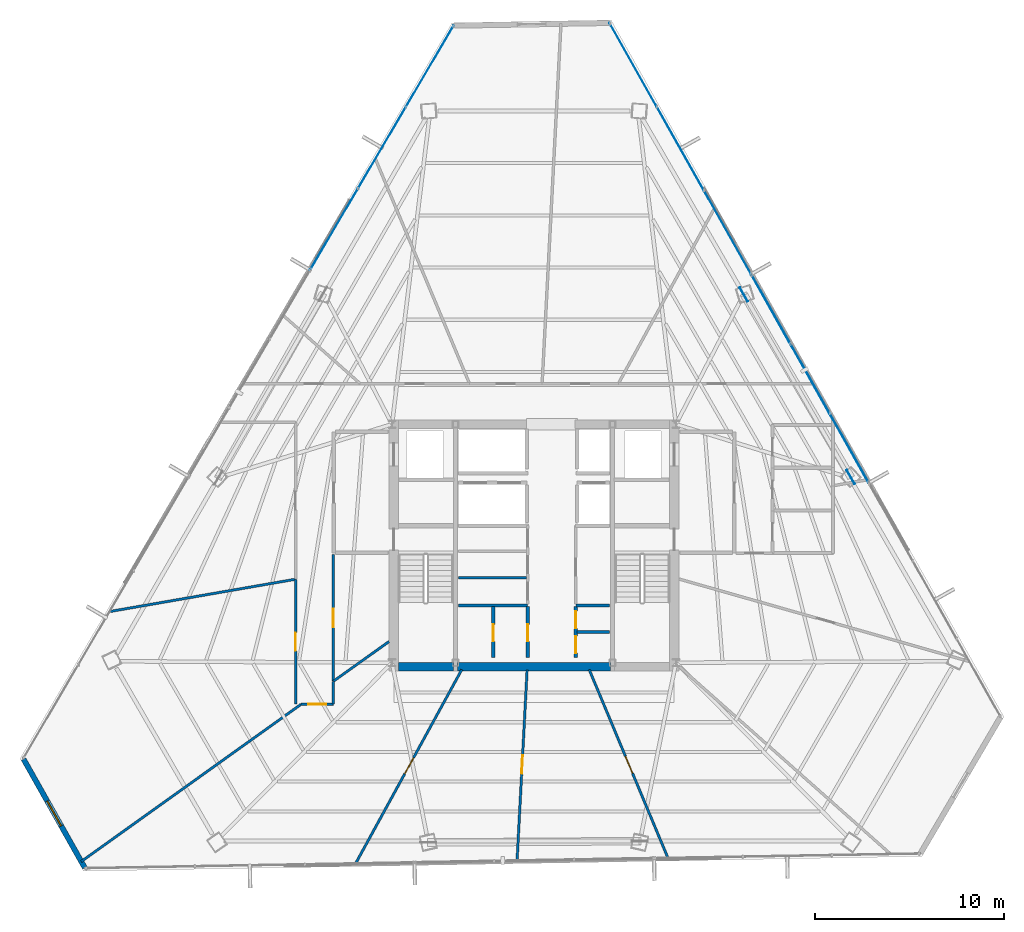
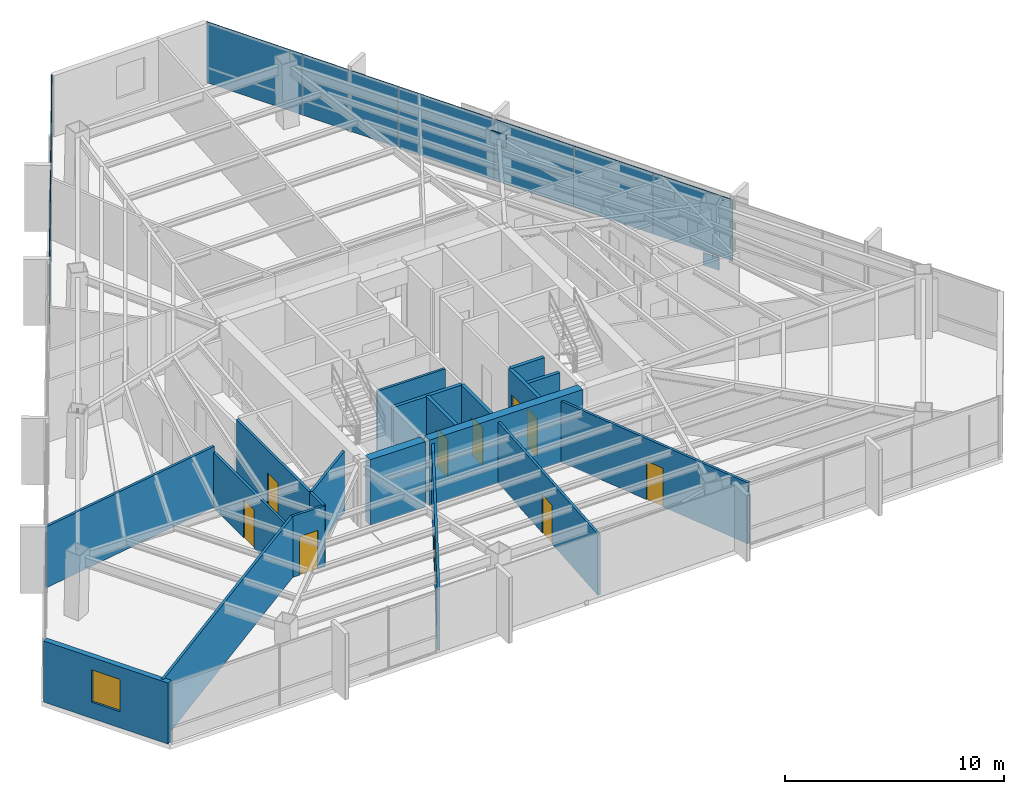
# One storey, part 35 of 42: 20 walls, 11 plates, 10 doors, 1 window, 11 openings, 3 elements without a shape of their own.
"""IFC4 building model written with IfcOpenShell, lengths in metres."""

from ifc_helpers import new_model, si_unit, direction, frame, frame_2d, origin, origin_2d, place, context, subcontext, project, spatial, rectangle, extrude, source, transform, mapped, material, layer, layer_set, type_object, type_shapes, element, fill, aggregate, save


model = new_model("IFC4")

# Units and contexts
model_context = context("Model", 3, precision=1e-05, world=origin(), true_north=direction((0.0, 1.0)))
body_context = subcontext(model_context, "Body", "Model", "MODEL_VIEW")
ifc_project = project(units=[si_unit("LENGTHUNIT", "METRE"), si_unit("AREAUNIT", "SQUARE_METRE"), si_unit("VOLUMEUNIT", "CUBIC_METRE"), si_unit("PLANEANGLEUNIT", "RADIAN"), si_unit("MASSUNIT", "GRAM", prefix="KILO")], contexts=[model_context])

# Site, building, storey
site_placement = place(None, origin())
site = spatial("IfcSite", under=ifc_project, at=site_placement, CompositionType="ELEMENT")
building_placement = place(site_placement, origin())
building = spatial("IfcBuilding", under=site, at=building_placement, Name="Caelisora Broadcast Tower", CompositionType="ELEMENT")
storey_placement = place(building_placement, frame((0.0, 0.0, 184.050048828125)))
storey = spatial("IfcBuildingStorey", under=building, at=storey_placement, Name="L48", CompositionType="ELEMENT", Elevation=184.050048828125)

# Plates
ifc_material_1 = material(Name="Steel Grade 350 L15 (AS/NZS 3678)", Category="steel")
ifc_layer_1 = layer(ifc_material_1, 0.0400390625, Name="Steel Grade 350 L15 (AS/NZS 3678)")
ifc_layer_set_1 = layer_set([ifc_layer_1], Name="Steel Grade 350 L15 (AS/NZS 3678)")
plate_type_1 = type_object("IfcPlateType", Name="GP04", PredefinedType="USERDEFINED", material=ifc_layer_set_1)
shared_shape_1 = source(origin(), body_context, "Body", "SweptSolid", [
    extrude(rectangle(XDim=0.85009765625, YDim=0.0400390625, at=origin_2d()), origin(), (0.0, 0.0, 1.0), 0.699951171875),
])
type_shapes(plate_type_1, [shared_shape_1])
for number, where, z_axis, x_axis, name in (
    (1, (54.73388671875, 27.21826171875, -0.22998046875), (0.0, 0.0, 1.0), (-0.5, 0.866025403784, 0.0), "L48 gusset plate GP04 (ND-L48-C10B)"),
    (2, (49.083251953125, 36.86083984375, 2.72998046875), (0.0, 0.0, 1.0), (-0.5, 0.866025403784, 0.0), "L48 gusset plate GP04 (ND-L48-C11T)"),
):
    element("IfcPlate", number, at=place(storey_placement, frame(where, z_axis=z_axis, x_axis=x_axis)), inside=storey, type_object=plate_type_1, Name=name, ObjectType="GUSSET PLATE", PredefinedType="USERDEFINED", context=body_context, shape_type="MappedRepresentation", body=[
        mapped(shared_shape_1, transform((0.0, 0.0, 0.0), scale=1.0)),
    ])

# Curtain wall, plates
ifc_material_2 = material(Name="Unitised Aluminium and Low-E Glass Curtain Wall", Category="glass")
curtain_wall_type_1 = type_object("IfcCurtainWallType", Name="CW-Z4", PredefinedType="NOTDEFINED", material=ifc_material_2)
curtain_wall_1_placement = place(storey_placement, origin())
curtain_wall_1 = element("IfcCurtainWall", 3, at=curtain_wall_1_placement, inside=storey, type_object=curtain_wall_type_1, Name="L48 curtain wall CW-Z4", PredefinedType="NOTDEFINED")
ifc_material_3 = material(Name="Double Glazed Low-E Argon IGU", Category="glass")
ifc_layer_2 = layer(ifc_material_3, 0.030029296875, Name="Double Glazed Low-E Argon IGU")
ifc_layer_set_2 = layer_set([ifc_layer_2], Name="Double Glazed Low-E Argon IGU")
plate_type_2 = type_object("IfcPlateType", Name="CWP-05", PredefinedType="CURTAIN_PANEL", material=ifc_layer_set_2)
shared_shape_2 = source(origin(), body_context, "Body", "SweptSolid", [
    extrude(rectangle(XDim=5.080078125, YDim=0.030029296875, at=origin_2d()), origin(), (0.0, 0.0, 1.0), 3.39990234375),
])
plate_1_placement = place(storey_placement, frame((43.236572265625, 48.993408203125, 0.0), z_axis=(0.0, 0.0, 1.0), x_axis=(0.491055801632, -0.871128118983, 0.0)))
plate_1 = element("IfcPlate", 4, at=plate_1_placement, type_object=plate_type_2, Name="L48-CW-B01 glazed panel #1", PredefinedType="CURTAIN_PANEL", context=body_context, shape_type="MappedRepresentation", body=[
    mapped(shared_shape_2, transform((0.0, 0.0, 0.0), scale=1.0)),
])
plate_2_placement = place(storey_placement, frame((45.7314453125, 44.56787109375, 0.0), z_axis=(0.0, 0.0, 1.0), x_axis=(0.491055801632, -0.871128118983, 0.0)))
plate_2 = element("IfcPlate", 5, at=plate_2_placement, type_object=plate_type_2, Name="L48-CW-B01 glazed panel #2", PredefinedType="CURTAIN_PANEL", context=body_context, shape_type="MappedRepresentation", body=[
    mapped(shared_shape_2, transform((0.0, 0.0, 0.0), scale=1.0)),
])
plate_3_placement = place(storey_placement, frame((48.2265625, 40.142578125, 0.0), z_axis=(0.0, 0.0, 1.0), x_axis=(0.491055801632, -0.871128118983, 0.0)))
plate_3 = element("IfcPlate", 6, at=plate_3_placement, type_object=plate_type_2, Name="L48-CW-B01 glazed panel #3", PredefinedType="CURTAIN_PANEL", context=body_context, shape_type="MappedRepresentation", body=[
    mapped(shared_shape_2, transform((0.0, 0.0, 0.0), scale=1.0)),
])
aggregate(curtain_wall_1, [plate_1, plate_2, plate_3])

ifc_material_4 = material(Name="Unitised Aluminium Insulated Shadow-Box Spandrel Curtain Wall", Category="aluminium")
curtain_wall_type_2 = type_object("IfcCurtainWallType", Name="CW-SP2", PredefinedType="NOTDEFINED", material=ifc_material_4)
curtain_wall_2_placement = place(storey_placement, origin())
curtain_wall_2 = element("IfcCurtainWall", 7, at=curtain_wall_2_placement, inside=storey, type_object=curtain_wall_type_2, Name="L48 curtain wall CW-SP2", PredefinedType="NOTDEFINED")
ifc_material_5 = material(Name="Insulated Terracotta Shadow-Box Spandrel Panel", Category="aluminium")
ifc_layer_3 = layer(ifc_material_5, 0.0439453125, Name="Insulated Terracotta Shadow-Box Spandrel Panel")
ifc_layer_set_3 = layer_set([ifc_layer_3], Name="Insulated Terracotta Shadow-Box Spandrel Panel")
plate_type_3 = type_object("IfcPlateType", Name="CWP-10", PredefinedType="CURTAIN_PANEL", material=ifc_layer_set_3)
shared_shape_3 = source(origin(), body_context, "Body", "SweptSolid", [
    extrude(rectangle(XDim=4.21630859375, YDim=0.0439453125, at=origin_2d()), origin(), (0.0, 0.0, 1.0), 3.39990234375),
])
type_shapes(plate_type_3, [shared_shape_3])
plate_4_placement = place(storey_placement, frame((50.514404296875, 36.084716796875, 0.0), z_axis=(0.0, 0.0, 1.0), x_axis=(0.491055801632, -0.871128118983, 0.0)))
plate_4 = element("IfcPlate", 8, at=plate_4_placement, type_object=plate_type_3, Name="L48-CW-B02 spandrel panel #1", PredefinedType="CURTAIN_PANEL", context=body_context, shape_type="MappedRepresentation", body=[
    mapped(shared_shape_3, transform((0.0, 0.0, 0.0), scale=1.0)),
])
plate_5_placement = place(storey_placement, frame((52.5849609375, 32.411865234375, 0.0), z_axis=(0.0, 0.0, 1.0), x_axis=(0.491055801632, -0.871128118983, 0.0)))
plate_5 = element("IfcPlate", 9, at=plate_5_placement, type_object=plate_type_3, Name="L48-CW-B02 spandrel panel #2", PredefinedType="CURTAIN_PANEL", context=body_context, shape_type="MappedRepresentation", body=[
    mapped(shared_shape_3, transform((0.0, 0.0, 0.0), scale=1.0)),
])
plate_6_placement = place(storey_placement, frame((54.65576171875, 28.739013671875, 0.0), z_axis=(0.0, 0.0, 1.0), x_axis=(0.491055801632, -0.871128118983, 0.0)))
plate_6 = element("IfcPlate", 10, at=plate_6_placement, type_object=plate_type_3, Name="L48-CW-B02 spandrel panel #3", PredefinedType="CURTAIN_PANEL", context=body_context, shape_type="MappedRepresentation", body=[
    mapped(shared_shape_3, transform((0.0, 0.0, 0.0), scale=1.0)),
])
aggregate(curtain_wall_2, [plate_4, plate_5, plate_6])

curtain_wall_3_placement = place(storey_placement, origin())
curtain_wall_3 = element("IfcCurtainWall", 11, at=curtain_wall_3_placement, inside=storey, type_object=curtain_wall_type_1, Name="L48 curtain wall CW-Z4", PredefinedType="NOTDEFINED")
shared_shape_4 = source(origin(), body_context, "Body", "SweptSolid", [
    extrude(rectangle(XDim=4.990234375, YDim=0.030029296875, at=origin_2d()), origin(), (0.0, 0.0, 1.0), 3.39990234375),
])
type_shapes(plate_type_2, [shared_shape_2, shared_shape_4])
plate_7_placement = place(storey_placement, frame((27.4384765625, 40.3037109375, 0.0), z_axis=(0.0, 0.0, 1.0), x_axis=(0.506334807353, 0.862336977557, 0.0)))
plate_7 = element("IfcPlate", 12, at=plate_7_placement, type_object=plate_type_2, Name="L48-CW-B11 glazed panel #1", PredefinedType="CURTAIN_PANEL", context=body_context, shape_type="MappedRepresentation", body=[
    mapped(shared_shape_4, transform((0.0, 0.0, 0.0), scale=1.0)),
])
plate_8_placement = place(storey_placement, frame((29.965087890625, 44.60693359375, 0.0), z_axis=(0.0, 0.0, 1.0), x_axis=(0.506334807353, 0.862336977557, 0.0)))
plate_8 = element("IfcPlate", 13, at=plate_8_placement, type_object=plate_type_2, Name="L48-CW-B11 glazed panel #2", PredefinedType="CURTAIN_PANEL", context=body_context, shape_type="MappedRepresentation", body=[
    mapped(shared_shape_4, transform((0.0, 0.0, 0.0), scale=1.0)),
])
plate_9_placement = place(storey_placement, frame((32.49169921875, 48.910400390625, 0.0), z_axis=(0.0, 0.0, 1.0), x_axis=(0.506334807353, 0.862336977557, 0.0)))
plate_9 = element("IfcPlate", 14, at=plate_9_placement, type_object=plate_type_2, Name="L48-CW-B11 glazed panel #3", PredefinedType="CURTAIN_PANEL", context=body_context, shape_type="MappedRepresentation", body=[
    mapped(shared_shape_4, transform((0.0, 0.0, 0.0), scale=1.0)),
])
aggregate(curtain_wall_3, [plate_7, plate_8, plate_9])

# Walls
ifc_material_6 = material(Name="Concrete 50 MPa (AS 3600 S50)", Category="concrete")
ifc_layer_4 = layer(ifc_material_6, 0.449951171875, Name="Concrete 50 MPa (AS 3600 S50)")
ifc_layer_set_4 = layer_set([ifc_layer_4], Name="Concrete 50 MPa (AS 3600 S50)")
wall_type_1 = type_object("IfcWallType", Name="CW5", PredefinedType="SHEAR", material=ifc_layer_set_4)
wall_1_placement = place(storey_placement, frame((30.840087890625, 17.175048828125, 0.0), z_axis=(0.0, 0.0, 1.0), x_axis=(1.0, 0.0, 0.0)))
element("IfcWall", 15, at=wall_1_placement, inside=storey, type_object=wall_type_1, Name="L48 core shear wall CW5", PredefinedType="SHEAR", context=body_context, shape_type="SweptSolid", body=[
    extrude(rectangle(XDim=2.89990234375, YDim=0.449951171875, at=frame_2d((1.449951171875, 0.0))), origin(), (0.0, 0.0, 1.0), 3.64990234375),
])
wall_2_placement = place(storey_placement, frame((33.9599609375, 17.175048828125, 0.0), z_axis=(0.0, 0.0, 1.0), x_axis=(1.0, 0.0, 0.0)))
element("IfcWall", 16, at=wall_2_placement, inside=storey, type_object=wall_type_1, Name="L48 core shear wall CW5", PredefinedType="SHEAR", context=body_context, shape_type="SweptSolid", body=[
    extrude(rectangle(XDim=8.080078125, YDim=0.449951171875, at=frame_2d((4.0400390625, 0.0))), origin(), (0.0, 0.0, 1.0), 3.64990234375),
])

# Wall, opening, window
ifc_material_7 = material(Name="Insulated Terracotta Spandrel Wall System", Category="masonry")
ifc_layer_5 = layer(ifc_material_7, 0.280029296875, Name="Insulated Terracotta Spandrel Wall System")
ifc_layer_set_5 = layer_set([ifc_layer_5], Name="Insulated Terracotta Spandrel Wall System")
wall_type_2 = type_object("IfcWallType", Name="EW1", PredefinedType="STANDARD", material=ifc_layer_set_5)
wall_3_placement = place(storey_placement, frame((14.268310546875, 6.56201171875, 0.0), z_axis=(0.0, 0.0, 1.0), x_axis=(-0.491198014643, 0.871047938067, 0.0)))
wall_3 = element("IfcWall", 17, at=wall_3_placement, inside=storey, type_object=wall_type_2, Name="L48 exterior envelope wall EW1", PredefinedType="STANDARD", context=body_context, shape_type="SweptSolid", body=[
    extrude(rectangle(XDim=6.593017578125, YDim=0.280029296875, at=frame_2d((3.29638671875, 0.0))), origin(), (0.0, 0.0, 1.0), 3.39990234375),
])
opening_1_placement = place(wall_3_placement, frame((2.550048828125, 0.0, 0.89990234375)))
opening_1 = element("IfcOpeningElement", 18, at=opening_1_placement, cuts=wall_3, Name="Opening W02", PredefinedType="OPENING", context=body_context, shape_type="SweptSolid", body=[
    extrude(rectangle(XDim=1.5, YDim=1.800048828125, at=frame_2d((0.75, 0.89990234375))), frame((0.0, 0.152099609375, 0.0), z_axis=(0.0, -1.0, 0.0), x_axis=(1.0, 0.0, 0.0)), (0.0, 0.0, 1.0), 0.303955078125),
])
ifc_material_8 = material(Name="Double Glazed Terracotta-Framed Vision Window", Category="glass")
window_type = type_object("IfcWindowType", Name="W02", PartitioningType="SINGLE_PANEL", PredefinedType="WINDOW", material=ifc_material_8)
window_placement = place(opening_1_placement, origin())
window = element("IfcWindow", 19, at=window_placement, inside=storey, type_object=window_type, Name="L48 window W02 (L48-WN-CH4)", OverallHeight=1.800048828125, OverallWidth=1.5, PartitioningType="SINGLE_PANEL", PredefinedType="WINDOW", context=body_context, shape_type="SweptSolid", body=[
    extrude(rectangle(XDim=1.5, YDim=1.800048828125, at=frame_2d((0.75, 0.89990234375))), frame((0.0, 0.030029296875, 0.0), z_axis=(0.0, -1.0, 0.0), x_axis=(1.0, 0.0, 0.0)), (0.0, 0.0, 1.0), 0.06005859375),
])
fill(opening_1, window)

# Walls
ifc_material_9 = material(Name="Fire-Rated Gypsum Shaft and Compartment Wall", Category="gypsum")
ifc_layer_6 = layer(ifc_material_9, 0.179931640625, Name="Fire-Rated Gypsum Shaft and Compartment Wall")
ifc_layer_set_6 = layer_set([ifc_layer_6], Name="Fire-Rated Gypsum Shaft and Compartment Wall")
wall_type_3 = type_object("IfcWallType", Name="PW2", PredefinedType="PARTITIONING", material=ifc_layer_set_6)
wall_4_placement = place(storey_placement, frame((34.02001953125, 20.419921875, 0.0), z_axis=(0.0, 0.0, 1.0), x_axis=(1.0, 0.0, 0.0)))
element("IfcWall", 20, at=wall_4_placement, inside=storey, type_object=wall_type_3, Name="L48 fire compartment wall PW2", PredefinedType="PARTITIONING", context=body_context, shape_type="SweptSolid", body=[
    extrude(rectangle(XDim=3.639892578125, YDim=0.179931640625, at=frame_2d((1.81982421875, 0.0))), origin(), (0.0, 0.0, 1.0), 3.39990234375),
])
wall_5_placement = place(storey_placement, frame((40.219970703125, 20.419921875, 0.0), z_axis=(0.0, 0.0, 1.0), x_axis=(1.0, 0.0, 0.0)))
element("IfcWall", 21, at=wall_5_placement, inside=storey, type_object=wall_type_3, Name="L48 fire compartment wall PW2", PredefinedType="PARTITIONING", context=body_context, shape_type="SweptSolid", body=[
    extrude(rectangle(XDim=1.760009765625, YDim=0.179931640625, at=frame_2d((0.8798828125, 0.0))), origin(), (0.0, 0.0, 1.0), 3.39990234375),
])

# Wall, opening, door
wall_6_placement = place(storey_placement, frame((35.840087890625, 17.679931640625, 0.0), z_axis=(0.0, 0.0, 1.0), x_axis=(0.0, 1.0, 0.0)))
wall_6 = element("IfcWall", 22, at=wall_6_placement, inside=storey, type_object=wall_type_3, Name="L48 fire compartment wall PW2", PredefinedType="PARTITIONING", context=body_context, shape_type="SweptSolid", body=[
    extrude(rectangle(XDim=2.699951171875, YDim=0.179931640625, at=frame_2d((1.35009765625, 0.0))), origin(), (0.0, 0.0, 1.0), 3.39990234375),
])
opening_2_placement = place(wall_6_placement, frame((0.85009765625, 0.0, 0.0)))
opening_2 = element("IfcOpeningElement", 23, at=opening_2_placement, cuts=wall_6, Name="Opening FD03", PredefinedType="OPENING", context=body_context, shape_type="SweptSolid", body=[
    extrude(rectangle(XDim=0.89990234375, YDim=2.10009765625, at=frame_2d((0.449951171875, 1.050048828125))), frame((0.0, 0.10205078125, 0.0), z_axis=(0.0, -1.0, 0.0), x_axis=(1.0, 0.0, 0.0)), (0.0, 0.0, 1.0), 0.203857421875),
])
ifc_material_10 = material(Name="Single-Leaf Steel Riser Fire Access Door", Category="steel")
door_type_1 = type_object("IfcDoorType", Name="FD03", OperationType="NOTDEFINED", PredefinedType="DOOR", material=ifc_material_10)
door_1_placement = place(opening_2_placement, origin())
door_1 = element("IfcDoor", 24, at=door_1_placement, inside=storey, type_object=door_type_1, Name="L48 door FD03 (L48-DR-P15D1)", OperationType="SINGLE_SWING_LEFT", OverallHeight=2.10009765625, OverallWidth=0.89990234375, PredefinedType="DOOR", context=body_context, shape_type="SweptSolid", body=[
    extrude(rectangle(XDim=0.89990234375, YDim=2.10009765625, at=frame_2d((0.449951171875, 1.050048828125))), frame((0.0, 0.02490234375, 0.0), z_axis=(0.0, -1.0, 0.0), x_axis=(1.0, 0.0, 0.0)), (0.0, 0.0, 1.0), 0.050048828125),
])
fill(opening_2, door_1)

wall_7_placement = place(storey_placement, frame((37.679931640625, 17.679931640625, 0.0), z_axis=(0.0, 0.0, 1.0), x_axis=(0.0, 1.0, 0.0)))
wall_7 = element("IfcWall", 25, at=wall_7_placement, inside=storey, type_object=wall_type_3, Name="L48 fire compartment wall PW2", PredefinedType="PARTITIONING", context=body_context, shape_type="SweptSolid", body=[
    extrude(rectangle(XDim=2.699951171875, YDim=0.179931640625, at=frame_2d((1.35009765625, 0.0))), origin(), (0.0, 0.0, 1.0), 3.39990234375),
])
opening_3_placement = place(wall_7_placement, frame((0.85009765625, 0.0, 0.0)))
opening_3 = element("IfcOpeningElement", 26, at=opening_3_placement, cuts=wall_7, Name="Opening FD03", PredefinedType="OPENING", context=body_context, shape_type="SweptSolid", body=[
    extrude(rectangle(XDim=0.89990234375, YDim=2.10009765625, at=frame_2d((0.449951171875, 1.050048828125))), frame((0.0, 0.10205078125, 0.0), z_axis=(0.0, -1.0, 0.0), x_axis=(1.0, 0.0, 0.0)), (0.0, 0.0, 1.0), 0.203857421875),
])
door_2_placement = place(opening_3_placement, origin())
door_2 = element("IfcDoor", 27, at=door_2_placement, inside=storey, type_object=door_type_1, Name="L48 door FD03 (L48-DR-P16D1)", OperationType="SINGLE_SWING_RIGHT", OverallHeight=2.10009765625, OverallWidth=0.89990234375, PredefinedType="DOOR", context=body_context, shape_type="SweptSolid", body=[
    extrude(rectangle(XDim=0.89990234375, YDim=2.10009765625, at=frame_2d((0.449951171875, 1.050048828125))), frame((0.0, 0.02490234375, 0.0), z_axis=(0.0, -1.0, 0.0), x_axis=(1.0, 0.0, 0.0)), (0.0, 0.0, 1.0), 0.050048828125),
])
fill(opening_3, door_2)

# Wall
wall_8_placement = place(storey_placement, frame((40.280029296875, 19.02001953125, 0.0), z_axis=(0.0, 0.0, 1.0), x_axis=(1.0, 0.0, 0.0)))
element("IfcWall", 28, at=wall_8_placement, inside=storey, type_object=wall_type_3, Name="L48 fire compartment wall PW2", PredefinedType="PARTITIONING", context=body_context, shape_type="SweptSolid", body=[
    extrude(rectangle(XDim=1.699951171875, YDim=0.179931640625, at=frame_2d((0.85009765625, 0.0))), origin(), (0.0, 0.0, 1.0), 3.39990234375),
])

# Wall, openings, doors
wall_9_placement = place(storey_placement, frame((40.199951171875, 17.679931640625, 0.0), z_axis=(0.0, 0.0, 1.0), x_axis=(0.0, 1.0, 0.0)))
wall_9 = element("IfcWall", 29, at=wall_9_placement, inside=storey, type_object=wall_type_3, Name="L48 fire compartment wall PW2", PredefinedType="PARTITIONING", context=body_context, shape_type="SweptSolid", body=[
    extrude(rectangle(XDim=2.699951171875, YDim=0.179931640625, at=frame_2d((1.35009765625, 0.0))), origin(), (0.0, 0.0, 1.0), 3.39990234375),
])
opening_4_placement = place(wall_9_placement, frame((0.219970703125, 0.0, 0.0)))
opening_4 = element("IfcOpeningElement", 30, at=opening_4_placement, cuts=wall_9, Name="Opening FD03", PredefinedType="OPENING", context=body_context, shape_type="SweptSolid", body=[
    extrude(rectangle(XDim=0.89990234375, YDim=2.10009765625, at=frame_2d((0.449951171875, 1.050048828125))), frame((0.0, 0.10205078125, 0.0), z_axis=(0.0, -1.0, 0.0), x_axis=(1.0, 0.0, 0.0)), (0.0, 0.0, 1.0), 0.203857421875),
])
opening_5_placement = place(wall_9_placement, frame((1.5400390625, 0.0, 0.0)))
opening_5 = element("IfcOpeningElement", 31, at=opening_5_placement, cuts=wall_9, Name="Opening FD03", PredefinedType="OPENING", context=body_context, shape_type="SweptSolid", body=[
    extrude(rectangle(XDim=0.89990234375, YDim=2.10009765625, at=frame_2d((0.449951171875, 1.050048828125))), frame((0.0, 0.10205078125, 0.0), z_axis=(0.0, -1.0, 0.0), x_axis=(1.0, 0.0, 0.0)), (0.0, 0.0, 1.0), 0.203857421875),
])
door_3_placement = place(opening_4_placement, origin())
door_3 = element("IfcDoor", 32, at=door_3_placement, inside=storey, type_object=door_type_1, Name="L48 door FD03 (L48-DR-P18D1)", OperationType="SINGLE_SWING_LEFT", OverallHeight=2.10009765625, OverallWidth=0.89990234375, PredefinedType="DOOR", context=body_context, shape_type="SweptSolid", body=[
    extrude(rectangle(XDim=0.89990234375, YDim=2.10009765625, at=frame_2d((0.449951171875, 1.050048828125))), frame((0.0, 0.02490234375, 0.0), z_axis=(0.0, -1.0, 0.0), x_axis=(1.0, 0.0, 0.0)), (0.0, 0.0, 1.0), 0.050048828125),
])
fill(opening_4, door_3)
door_4_placement = place(opening_5_placement, origin())
door_4 = element("IfcDoor", 33, at=door_4_placement, inside=storey, type_object=door_type_1, Name="L48 door FD03 (L48-DR-P18D2)", OperationType="SINGLE_SWING_RIGHT", OverallHeight=2.10009765625, OverallWidth=0.89990234375, PredefinedType="DOOR", context=body_context, shape_type="SweptSolid", body=[
    extrude(rectangle(XDim=0.89990234375, YDim=2.10009765625, at=frame_2d((0.449951171875, 1.050048828125))), frame((0.0, 0.02490234375, 0.0), z_axis=(0.0, -1.0, 0.0), x_axis=(1.0, 0.0, 0.0)), (0.0, 0.0, 1.0), 0.050048828125),
])
fill(opening_5, door_4)

# Walls
ifc_material_11 = material(Name="Acoustic Steel-Stud Plasterboard Partition", Category="gypsum")
ifc_layer_7 = layer(ifc_material_11, 0.1298828125, Name="Acoustic Steel-Stud Plasterboard Partition")
ifc_layer_set_7 = layer_set([ifc_layer_7], Name="Acoustic Steel-Stud Plasterboard Partition")
wall_type_4 = type_object("IfcWallType", Name="PW3", PredefinedType="PARTITIONING", material=ifc_layer_set_7)
wall_10_placement = place(storey_placement, frame((34.02001953125, 21.8798828125, 0.0), z_axis=(0.0, 0.0, 1.0), x_axis=(1.0, 0.0, 0.0)))
element("IfcWall", 34, at=wall_10_placement, inside=storey, type_object=wall_type_4, Name="L48 internal partition PW3", PredefinedType="PARTITIONING", context=body_context, shape_type="SweptSolid", body=[
    extrude(rectangle(XDim=3.580078125, YDim=0.1298828125, at=frame_2d((1.7900390625, 0.0))), origin(), (0.0, 0.0, 1.0), 3.39990234375),
])
wall_11_placement = place(storey_placement, frame((14.0751953125, 6.893798828125, 0.0), z_axis=(0.0, 0.0, 1.0), x_axis=(0.813409764778, 0.581691116113, 0.0)))
element("IfcWall", 35, at=wall_11_placement, inside=storey, type_object=wall_type_4, Name="L48 internal partition PW3", PredefinedType="PARTITIONING", context=body_context, shape_type="SweptSolid", body=[
    extrude(rectangle(XDim=14.274169921875, YDim=0.1298828125, at=frame_2d((7.13720703125, 0.0))), origin(), (0.0, 0.0, 1.0), 3.39990234375),
])

# Wall, opening, door
wall_12_placement = place(storey_placement, frame((28.570068359375, 6.781494140625, 0.0), z_axis=(0.0, 0.0, 1.0), x_axis=(0.480287077474, 0.877111351661, 0.0)))
wall_12 = element("IfcWall", 36, at=wall_12_placement, inside=storey, type_object=wall_type_4, Name="L48 internal partition PW3", PredefinedType="PARTITIONING", context=body_context, shape_type="SweptSolid", body=[
    extrude(rectangle(XDim=11.68896484375, YDim=0.1298828125, at=frame_2d((5.844482421875, 0.0))), origin(), (0.0, 0.0, 1.0), 3.39990234375),
])
opening_6_placement = place(wall_12_placement, frame((5.4169921875, 0.0, 0.0)))
opening_6 = element("IfcOpeningElement", 37, at=opening_6_placement, cuts=wall_12, Name="Opening D01", PredefinedType="OPENING", context=body_context, shape_type="SweptSolid", body=[
    extrude(rectangle(XDim=0.9599609375, YDim=2.14990234375, at=frame_2d((0.47998046875, 1.074951171875))), frame((0.0, 0.076904296875, 0.0), z_axis=(0.0, -1.0, 0.0), x_axis=(1.0, 0.0, 0.0)), (0.0, 0.0, 1.0), 0.15380859375),
])
ifc_material_12 = material(Name="Solid-Core Timber Acoustic Office Door", Category="wood")
door_type_2 = type_object("IfcDoorType", Name="D01", OperationType="NOTDEFINED", PredefinedType="DOOR", material=ifc_material_12)
door_5_placement = place(opening_6_placement, origin())
door_5 = element("IfcDoor", 38, at=door_5_placement, inside=storey, type_object=door_type_2, Name="L48 door D01 (L48-DR-P35D1)", OperationType="SINGLE_SWING_LEFT", OverallHeight=2.14990234375, OverallWidth=0.9599609375, PredefinedType="DOOR", context=body_context, shape_type="SweptSolid", body=[
    extrude(rectangle(XDim=0.9599609375, YDim=2.14990234375, at=frame_2d((0.47998046875, 1.074951171875))), frame((0.0, 0.02490234375, 0.0), z_axis=(0.0, -1.0, 0.0), x_axis=(1.0, 0.0, 0.0)), (0.0, 0.0, 1.0), 0.050048828125),
])
fill(opening_6, door_5)

wall_13_placement = place(storey_placement, frame((40.9189453125, 17.031005859375, 0.0), z_axis=(0.0, 0.0, 1.0), x_axis=(0.385638121212, -0.922650117579, 0.0)))
wall_13 = element("IfcWall", 39, at=wall_13_placement, inside=storey, type_object=wall_type_4, Name="L48 internal partition PW3", PredefinedType="PARTITIONING", context=body_context, shape_type="SweptSolid", body=[
    extrude(rectangle(XDim=10.794677734375, YDim=0.1298828125, at=frame_2d((5.3974609375, 0.0))), origin(), (0.0, 0.0, 1.0), 3.39990234375),
])
opening_7_placement = place(wall_13_placement, frame((4.967041015625, 0.0, 0.0)))
opening_7 = element("IfcOpeningElement", 40, at=opening_7_placement, cuts=wall_13, Name="Opening D01", PredefinedType="OPENING", context=body_context, shape_type="SweptSolid", body=[
    extrude(rectangle(XDim=0.9599609375, YDim=2.14990234375, at=frame_2d((0.47998046875, 1.074951171875))), frame((0.0, 0.076904296875, 0.0), z_axis=(0.0, -1.0, 0.0), x_axis=(1.0, 0.0, 0.0)), (0.0, 0.0, 1.0), 0.15380859375),
])
door_6_placement = place(opening_7_placement, origin())
door_6 = element("IfcDoor", 41, at=door_6_placement, inside=storey, type_object=door_type_2, Name="L48 door D01 (L48-DR-P36D1)", OperationType="SINGLE_SWING_RIGHT", OverallHeight=2.14990234375, OverallWidth=0.9599609375, PredefinedType="DOOR", context=body_context, shape_type="SweptSolid", body=[
    extrude(rectangle(XDim=0.9599609375, YDim=2.14990234375, at=frame_2d((0.47998046875, 1.074951171875))), frame((0.0, 0.02490234375, 0.0), z_axis=(0.0, -1.0, 0.0), x_axis=(1.0, 0.0, 0.0)), (0.0, 0.0, 1.0), 0.050048828125),
])
fill(opening_7, door_6)

wall_14_placement = place(storey_placement, frame((37.104736328125, 6.931396484375, 0.0), z_axis=(0.0, 0.0, 1.0), x_axis=(0.052560100898, 0.998617762607, 0.0)))
wall_14 = element("IfcWall", 42, at=wall_14_placement, inside=storey, type_object=wall_type_4, Name="L48 internal partition PW3", PredefinedType="PARTITIONING", context=body_context, shape_type="SweptSolid", body=[
    extrude(rectangle(XDim=10.107421875, YDim=0.1298828125, at=frame_2d((5.0537109375, 0.0))), origin(), (0.0, 0.0, 1.0), 3.39990234375),
])
opening_8_placement = place(wall_14_placement, frame((4.6201171875, 0.0, 0.0)))
opening_8 = element("IfcOpeningElement", 43, at=opening_8_placement, cuts=wall_14, Name="Opening D01", PredefinedType="OPENING", context=body_context, shape_type="SweptSolid", body=[
    extrude(rectangle(XDim=0.9599609375, YDim=2.14990234375, at=frame_2d((0.47998046875, 1.074951171875))), frame((0.0, 0.076904296875, 0.0), z_axis=(0.0, -1.0, 0.0), x_axis=(1.0, 0.0, 0.0)), (0.0, 0.0, 1.0), 0.15380859375),
])
door_7_placement = place(opening_8_placement, origin())
door_7 = element("IfcDoor", 44, at=door_7_placement, inside=storey, type_object=door_type_2, Name="L48 door D01 (L48-DR-P39D1)", OperationType="SINGLE_SWING_RIGHT", OverallHeight=2.14990234375, OverallWidth=0.9599609375, PredefinedType="DOOR", context=body_context, shape_type="SweptSolid", body=[
    extrude(rectangle(XDim=0.9599609375, YDim=2.14990234375, at=frame_2d((0.47998046875, 1.074951171875))), frame((0.0, 0.02490234375, 0.0), z_axis=(0.0, -1.0, 0.0), x_axis=(1.0, 0.0, 0.0)), (0.0, 0.0, 1.0), 0.050048828125),
])
fill(opening_8, door_7)

# Wall
wall_15_placement = place(storey_placement, frame((15.57080078125, 20.10107421875, 0.0), z_axis=(0.0, 0.0, 1.0), x_axis=(0.985221097564, 0.171287445292, 0.0)))
element("IfcWall", 45, at=wall_15_placement, inside=storey, type_object=wall_type_4, Name="L48 internal partition PW3", PredefinedType="PARTITIONING", context=body_context, shape_type="SweptSolid", body=[
    extrude(rectangle(XDim=9.9716796875, YDim=0.1298828125, at=frame_2d((4.98583984375, 0.0))), origin(), (0.0, 0.0, 1.0), 3.39990234375),
])

# Wall, opening, door
wall_16_placement = place(storey_placement, frame((27.39990234375, 16.425048828125, 0.0), z_axis=(0.0, 0.0, 1.0), x_axis=(0.0, 1.0, 0.0)))
wall_16 = element("IfcWall", 46, at=wall_16_placement, inside=storey, type_object=wall_type_4, Name="L48 internal partition PW3", PredefinedType="PARTITIONING", context=body_context, shape_type="SweptSolid", body=[
    extrude(rectangle(XDim=6.679931640625, YDim=0.1298828125, at=frame_2d((3.33984375, 0.0))), origin(), (0.0, 0.0, 1.0), 3.39990234375),
])
opening_9_placement = place(wall_16_placement, frame((2.860107421875, 0.0, 0.0)))
opening_9 = element("IfcOpeningElement", 47, at=opening_9_placement, cuts=wall_16, Name="Opening D01", PredefinedType="OPENING", context=body_context, shape_type="SweptSolid", body=[
    extrude(rectangle(XDim=0.9599609375, YDim=2.14990234375, at=frame_2d((0.47998046875, 1.074951171875))), frame((0.0, 0.076904296875, 0.0), z_axis=(0.0, -1.0, 0.0), x_axis=(1.0, 0.0, 0.0)), (0.0, 0.0, 1.0), 0.15380859375),
])
door_8_placement = place(opening_9_placement, origin())
door_8 = element("IfcDoor", 48, at=door_8_placement, inside=storey, type_object=door_type_2, Name="L48 door D01 (L48-DR-P44D1)", OperationType="SINGLE_SWING_RIGHT", OverallHeight=2.14990234375, OverallWidth=0.9599609375, PredefinedType="DOOR", context=body_context, shape_type="SweptSolid", body=[
    extrude(rectangle(XDim=0.9599609375, YDim=2.14990234375, at=frame_2d((0.47998046875, 1.074951171875))), frame((0.0, 0.02490234375, 0.0), z_axis=(0.0, -1.0, 0.0), x_axis=(1.0, 0.0, 0.0)), (0.0, 0.0, 1.0), 0.050048828125),
])
fill(opening_9, door_8)

wall_17_placement = place(storey_placement, frame((25.39990234375, 21.804931640625, 0.0), z_axis=(0.0, 0.0, 1.0), x_axis=(0.0, -1.0, 0.0)))
wall_17 = element("IfcWall", 49, at=wall_17_placement, inside=storey, type_object=wall_type_4, Name="L48 internal partition PW3", PredefinedType="PARTITIONING", context=body_context, shape_type="SweptSolid", body=[
    extrude(rectangle(XDim=6.599853515625, YDim=0.1298828125, at=frame_2d((3.2998046875, 0.0))), origin(), (0.0, 0.0, 1.0), 3.07763671875),
])
opening_10_placement = place(wall_17_placement, frame((2.820068359375, 0.0, 0.0)))
opening_10 = element("IfcOpeningElement", 50, at=opening_10_placement, cuts=wall_17, Name="Opening D01", PredefinedType="OPENING", context=body_context, shape_type="SweptSolid", body=[
    extrude(rectangle(XDim=0.9599609375, YDim=2.14990234375, at=frame_2d((0.47998046875, 1.074951171875))), frame((0.0, 0.076904296875, 0.0), z_axis=(0.0, -1.0, 0.0), x_axis=(1.0, 0.0, 0.0)), (0.0, 0.0, 1.0), 0.15380859375),
])
door_9_placement = place(opening_10_placement, origin())
door_9 = element("IfcDoor", 51, at=door_9_placement, inside=storey, type_object=door_type_2, Name="L48 door D01 (L48-DR-P45D1)", OperationType="SINGLE_SWING_LEFT", OverallHeight=2.14990234375, OverallWidth=0.9599609375, PredefinedType="DOOR", context=body_context, shape_type="SweptSolid", body=[
    extrude(rectangle(XDim=0.9599609375, YDim=2.14990234375, at=frame_2d((0.47998046875, 1.074951171875))), frame((0.0, 0.02490234375, 0.0), z_axis=(0.0, -1.0, 0.0), x_axis=(1.0, 0.0, 0.0)), (0.0, 0.0, 1.0), 0.050048828125),
])
fill(opening_10, door_9)

# Wall
wall_18_placement = place(storey_placement, frame((27.404052734375, 16.423095703125, 0.0), z_axis=(0.0, 0.0, 1.0), x_axis=(0.81418624732, 0.580603784585, 0.0)))
element("IfcWall", 52, at=wall_18_placement, inside=storey, type_object=wall_type_4, Name="L48 internal partition PW3", PredefinedType="PARTITIONING", context=body_context, shape_type="SweptSolid", body=[
    extrude(rectangle(XDim=3.60498046875, YDim=0.1298828125, at=frame_2d((1.802490234375, 0.0))), origin(), (0.0, 0.0, 1.0), 3.39990234375),
])

# Wall, opening, door
wall_19_placement = place(storey_placement, frame((25.695068359375, 15.199951171875, 0.0), z_axis=(0.0, 0.0, 1.0), x_axis=(1.0, 0.0, 0.0)))
wall_19 = element("IfcWall", 53, at=wall_19_placement, inside=storey, type_object=wall_type_4, Name="L48 internal partition PW3", PredefinedType="PARTITIONING", context=body_context, shape_type="SweptSolid", body=[
    extrude(rectangle(XDim=1.699951171875, YDim=0.1298828125, at=frame_2d((0.85009765625, 0.0))), origin(), (0.0, 0.0, 1.0), 3.39990234375),
])
opening_11_placement = place(wall_19_placement, frame((0.3701171875, 0.0, 0.0)))
opening_11 = element("IfcOpeningElement", 54, at=opening_11_placement, cuts=wall_19, Name="Opening D01", PredefinedType="OPENING", context=body_context, shape_type="SweptSolid", body=[
    extrude(rectangle(XDim=0.9599609375, YDim=2.14990234375, at=frame_2d((0.47998046875, 1.074951171875))), frame((0.0, 0.076904296875, 0.0), z_axis=(0.0, -1.0, 0.0), x_axis=(1.0, 0.0, 0.0)), (0.0, 0.0, 1.0), 0.15380859375),
])
door_10_placement = place(opening_11_placement, origin())
door_10 = element("IfcDoor", 55, at=door_10_placement, inside=storey, type_object=door_type_2, Name="L48 door D01 (L48-DR-P55D1)", OperationType="SINGLE_SWING_LEFT", OverallHeight=2.14990234375, OverallWidth=0.9599609375, PredefinedType="DOOR", context=body_context, shape_type="SweptSolid", body=[
    extrude(rectangle(XDim=0.9599609375, YDim=2.14990234375, at=frame_2d((0.47998046875, 1.074951171875))), frame((0.0, 0.02490234375, 0.0), z_axis=(0.0, -1.0, 0.0), x_axis=(1.0, 0.0, 0.0)), (0.0, 0.0, 1.0), 0.050048828125),
])
fill(opening_11, door_10)

# Wall
wall_20_placement = place(storey_placement, frame((27.39990234375, 15.205078125, 0.0), z_axis=(0.0, 0.0, 1.0), x_axis=(0.0, 1.0, 0.0)))
element("IfcWall", 56, at=wall_20_placement, inside=storey, type_object=wall_type_4, Name="L48 internal partition PW3", PredefinedType="PARTITIONING", context=body_context, shape_type="SweptSolid", body=[
    extrude(rectangle(XDim=1.2099609375, YDim=0.1298828125, at=frame_2d((0.60498046875, 0.0))), origin(), (0.0, 0.0, 1.0), 3.39990234375),
])

save(model, "model.ifc")
